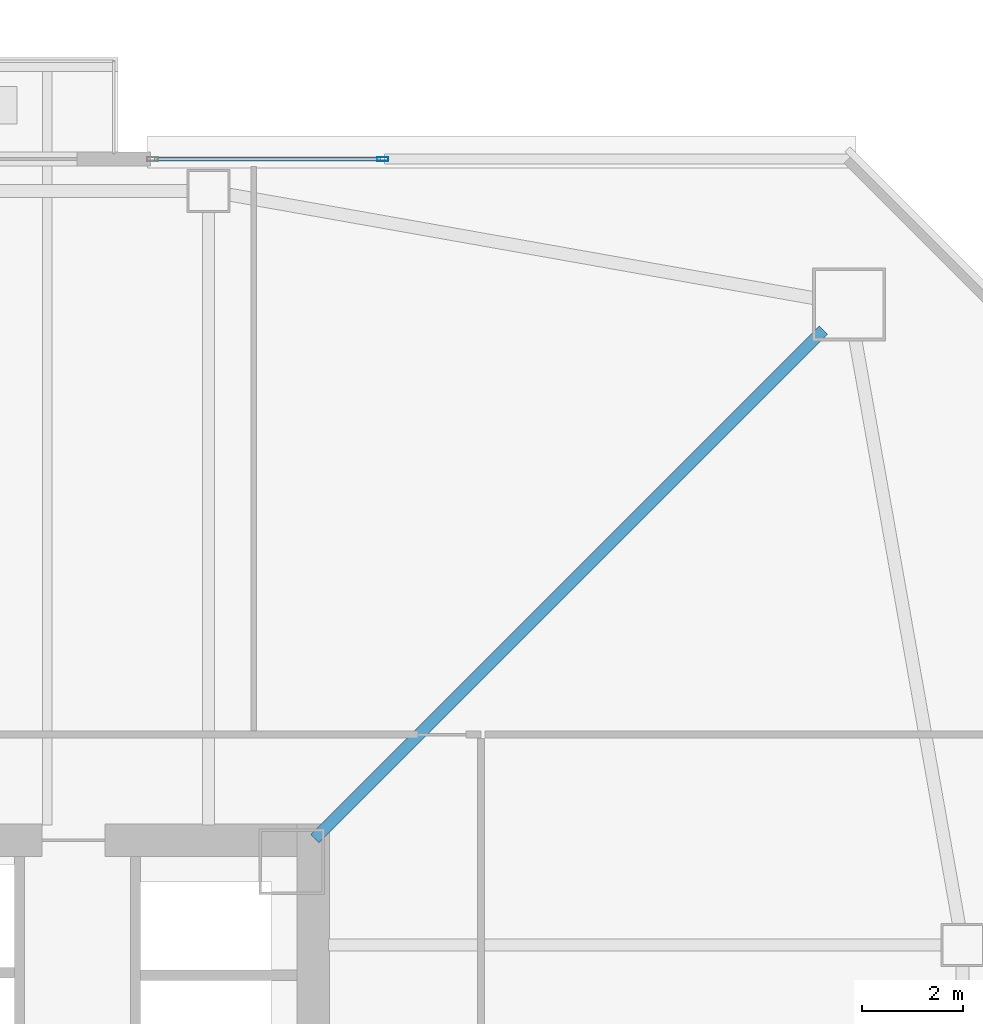
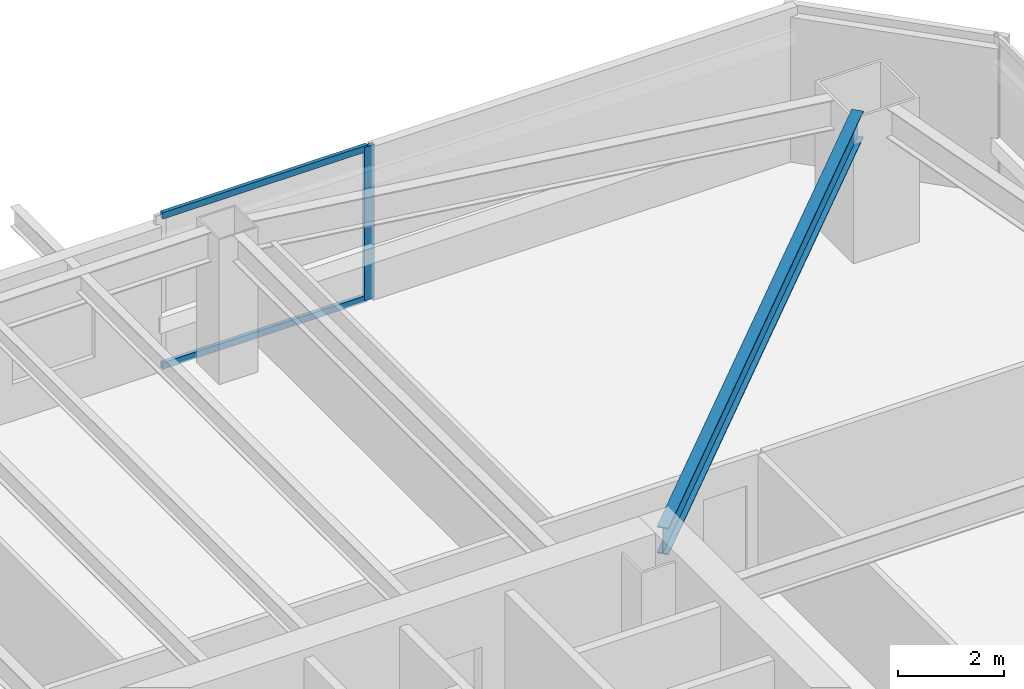
# One storey, part 16 of 48: 3 members, 1 beam, 1 element without a shape of its own.
"""IFC4 building model written with IfcOpenShell, lengths in metres."""

import ifcopenshell
import ifcopenshell.guid

model = None  # the IFC model being written
_history = None  # IfcOwnerHistory: only IFC2X3 demands one
_inside = {}  # id of a spatial element -> (the spatial element, [elements in it])
_under = {}  # id of a project, library or spatial element -> (it, [spatial elements below it])
_declared = {}  # id of a project -> (the project, [libraries it declares])
_typed = {}  # id of a type object -> (the type object, [elements of that type])
_made_of = {}  # id of a material, layer set ... -> (it, [elements and type objects made of it])


def new_model(schema):
    """Start an empty IFC model of exactly this schema.

    Asked for "IFC4X3", IfcOpenShell would pick the latest addendum, in which some entities
    have other attributes; the version numbers below select the first issue.
    IFC2X3 requires an IfcOwnerHistory on every rooted entity: one is made here for all.
    """
    global model, _history
    if schema == "IFC4X3":
        model = ifcopenshell.file(schema_version=(4, 3, 0, 0))
    else:
        model = ifcopenshell.file(schema=schema)
    _inside.clear()
    _under.clear()
    _declared.clear()
    _typed.clear()
    _made_of.clear()
    _history = None
    if model.schema == "IFC2X3":
        org = make("IfcOrganization", Name="unknown")
        user = make(
            "IfcPersonAndOrganization",
            ThePerson=make("IfcPerson", FamilyName="unknown"),
            TheOrganization=org,
        )
        app = make(
            "IfcApplication",
            ApplicationDeveloper=org,
            Version="unknown",
            ApplicationFullName="unknown",
            ApplicationIdentifier="unknown",
        )
        _history = make(
            "IfcOwnerHistory",
            OwningUser=user,
            OwningApplication=app,
            ChangeAction="ADDED",
            CreationDate=0,
        )
    return model


def make(cls, **values):
    """One entity of the class cls with the attributes given. An attribute that is None is left unset."""
    return model.create_entity(
        cls, **{name: value for name, value in values.items() if value is not None}
    )


def rooted(cls, **values):
    """An entity with a GlobalId (a new one), such as an element, a storey or a relation."""
    return make(cls, GlobalId=ifcopenshell.guid.new(), OwnerHistory=_history, **values)


def si_unit(unit_type, name, prefix=None):
    """IfcSIUnit, for example si_unit("LENGTHUNIT", "METRE", prefix="MILLI")."""
    return make("IfcSIUnit", UnitType=unit_type, Prefix=prefix, Name=name)


def assignment(units):
    """IfcUnitAssignment: the units of a project."""
    return None if units is None else make("IfcUnitAssignment", Units=units)


def point(xyz):
    """IfcCartesianPoint."""
    return None if xyz is None else make("IfcCartesianPoint", Coordinates=xyz)


def direction(xyz):
    """IfcDirection."""
    return None if xyz is None else make("IfcDirection", DirectionRatios=xyz)


def frame(location, z_axis=None, x_axis=None):
    """IfcAxis2Placement3D, a coordinate frame: its origin and axes. An axis left out is left unset."""
    return make(
        "IfcAxis2Placement3D",
        Location=point(location),
        Axis=direction(z_axis),
        RefDirection=direction(x_axis),
    )


def frame_2d(location, x_axis=None):
    """IfcAxis2Placement2D, a coordinate frame in the plane: its origin and x axis."""
    return make(
        "IfcAxis2Placement2D", Location=point(location), RefDirection=direction(x_axis)
    )


def origin():
    """The frame at (0, 0, 0) with its axes left unset."""
    return frame((0.0, 0.0, 0.0))


def origin_2d():
    """The frame at (0, 0) in the plane with its x axis left unset."""
    return frame_2d((0.0, 0.0))


def place(relative_to, where):
    """IfcLocalPlacement: puts the frame where relative to a parent placement (None: the world)."""
    return make(
        "IfcLocalPlacement", PlacementRelTo=relative_to, RelativePlacement=where
    )


def context(
    kind, dimensions, precision=None, world=None, true_north=None, identifier=None
):
    """IfcGeometricRepresentationContext, for example the 3D "Model" context."""
    return make(
        "IfcGeometricRepresentationContext",
        ContextIdentifier=identifier,
        ContextType=kind,
        CoordinateSpaceDimension=dimensions,
        Precision=precision,
        WorldCoordinateSystem=world,
        TrueNorth=true_north,
    )


def subcontext(parent, identifier, kind, view, scale=None):
    """IfcGeometricRepresentationSubContext, for example "Body" below "Model"."""
    return make(
        "IfcGeometricRepresentationSubContext",
        ContextIdentifier=identifier,
        ContextType=kind,
        ParentContext=parent,
        TargetScale=scale,
        TargetView=view,
    )


def project(units=None, contexts=None):
    """IfcProject with its units and contexts."""
    return rooted(
        "IfcProject",
        Name="project",
        RepresentationContexts=contexts,
        UnitsInContext=assignment(units),
    )


def spatial(cls, under=None, at=None, **own):
    """A site, building, storey or space (cls), placed at a placement, below another one or the project."""
    s = rooted(cls, ObjectPlacement=at, **own)
    if under is not None:
        _under.setdefault(under.id(), (under, []))[1].append(s)
    return s


def profile(cls, at=None, kind="AREA", **sizes):
    """A parametric profile (cls). Its sizes go by their IFC names, for example OverallWidth=200.0."""
    return make(cls, ProfileType=kind, Position=at, **sizes)


def hollow_rectangle(**sizes):
    """IfcRectangleHollowProfileDef."""
    return profile("IfcRectangleHollowProfileDef", **sizes)


def i_section(**sizes):
    """IfcIShapeProfileDef."""
    return profile("IfcIShapeProfileDef", **sizes)


def extrude(swept, where, along, depth):
    """IfcExtrudedAreaSolid: the profile swept, set in the frame where, extruded along a direction by depth."""
    return make(
        "IfcExtrudedAreaSolid",
        SweptArea=swept,
        Position=where,
        ExtrudedDirection=direction(along),
        Depth=depth,
    )


def shape(context_of_items, identifier, shape_type, items):
    """IfcShapeRepresentation: the items that make up one representation, for example the "Body"."""
    return make(
        "IfcShapeRepresentation",
        ContextOfItems=context_of_items,
        RepresentationIdentifier=identifier,
        RepresentationType=shape_type,
        Items=items,
    )


def material(Name=None, Category=None):
    """IfcMaterial."""
    return make("IfcMaterial", Name=Name, Category=Category)


def material_profile(
    of_material, cross_section, Name=None, Category=None, Priority=None
):
    """IfcMaterialProfile: a cross section and its material."""
    return make(
        "IfcMaterialProfile",
        Name=Name,
        Material=of_material,
        Profile=cross_section,
        Priority=Priority,
        Category=Category,
    )


def profile_set(profiles, Name=None, composite=None):
    """IfcMaterialProfileSet."""
    return make(
        "IfcMaterialProfileSet",
        Name=Name,
        MaterialProfiles=profiles,
        CompositeProfile=composite,
    )


def made_of(thing, what):
    """Note that an element or type object is made of a material, layer set ...; save() writes the relation."""
    if what is not None:
        _made_of.setdefault(what.id(), (what, []))[1].append(thing)
    return thing


def type_object(cls, material=None, **own):
    """A type object (cls), such as IfcWallType, which elements share."""
    return made_of(rooted(cls, **own), material)


def element(
    cls,
    number,
    at=None,
    inside=None,
    cuts=None,
    type_object=None,
    material=None,
    context=None,
    identifier="Body",
    shape_type=None,
    held_by="IfcProductDefinitionShape",
    body=None,
    shapes=None,
    **own,
):
    """One element of the class cls, such as IfcWall. Its Tag is "e" and its number.

    at: its placement. inside: the storey or other place that contains it. cuts: it is an
    opening in that element (IfcRelVoidsElement). A single representation is given by context,
    identifier, shape_type and body (its items); several are given by shapes. held_by: the class
    of the entity that holds the representations. save() writes the other relations.
    """
    e = rooted(cls, Tag="e%d" % number, ObjectPlacement=at, **own)
    if body is not None:
        shapes = [shape(context, identifier, shape_type, body)]
    if shapes is not None:
        e.Representation = make(held_by, Representations=shapes)
    if inside is not None:
        _inside.setdefault(inside.id(), (inside, []))[1].append(e)
    if cuts is not None:
        rooted(
            "IfcRelVoidsElement", RelatingBuildingElement=cuts, RelatedOpeningElement=e
        )
    if type_object is not None:
        _typed.setdefault(type_object.id(), (type_object, []))[1].append(e)
    return made_of(e, material)


def aggregate(whole, parts):
    """IfcRelAggregates: a whole, such as a stair, and the parts it consists of."""
    return rooted("IfcRelAggregates", RelatingObject=whole, RelatedObjects=parts)


def save(model, path):
    """Write the relations noted so far, then the file.

    IfcRelAggregates (storeys below a building ...), IfcRelContainedInSpatialStructure (elements
    in a storey), IfcRelDefinesByType, IfcRelAssociatesMaterial and IfcRelDeclares: one each for
    every whole, place, type object, material and project.
    """
    for whole, parts in _under.values():
        aggregate(whole, parts)
    for where, things in _inside.values():
        rooted(
            "IfcRelContainedInSpatialStructure",
            RelatedElements=things,
            RelatingStructure=where,
        )
    for kind, things in _typed.values():
        rooted("IfcRelDefinesByType", RelatedObjects=things, RelatingType=kind)
    for what, things in _made_of.values():
        rooted("IfcRelAssociatesMaterial", RelatedObjects=things, RelatingMaterial=what)
    for by, libraries in _declared.values():
        rooted("IfcRelDeclares", RelatingContext=by, RelatedDefinitions=libraries)
    model.write(path)


model = new_model("IFC4")

# Units and contexts
model_context = context("Model", 3, precision=1e-05, world=origin(), true_north=direction((0.0, 1.0)))
body_context = subcontext(model_context, "Body", "Model", "MODEL_VIEW")
ifc_project = project(units=[si_unit("LENGTHUNIT", "METRE"), si_unit("AREAUNIT", "SQUARE_METRE"), si_unit("VOLUMEUNIT", "CUBIC_METRE"), si_unit("PLANEANGLEUNIT", "RADIAN"), si_unit("MASSUNIT", "GRAM", prefix="KILO")], contexts=[model_context])

# Site, building, storey
site_placement = place(None, origin())
site = spatial("IfcSite", under=ifc_project, at=site_placement, CompositionType="ELEMENT")
building_placement = place(site_placement, origin())
building = spatial("IfcBuilding", under=site, at=building_placement, Name="Tashvorn Skyway Center", CompositionType="ELEMENT")
storey_placement = place(building_placement, frame((0.0, 0.0, 77.85009765625)))
storey = spatial("IfcBuildingStorey", under=building, at=storey_placement, Name="L20", CompositionType="ELEMENT", Elevation=77.85009765625)

# Beam
ifc_material_1 = material(Name="Steel ASTM A992 Grade 50", Category="steel")
ifc_material_profile_1 = material_profile(ifc_material_1, i_section(OverallWidth=0.22998046875, OverallDepth=0.616943359375, WebThickness=0.01318359375, FlangeThickness=0.022216796875, at=origin_2d()), Name="W24X94")
ifc_profile_set_1 = profile_set([ifc_material_profile_1], Name="Steel ASTM A992 Grade 50")
beam_type = type_object("IfcBeamType", Name="BM-BEAM-W24X94", PredefinedType="BEAM", material=ifc_profile_set_1)
beam_placement = place(storey_placement, frame((59.5908203125, 49.5908203125, 3.04150390625), z_axis=(-0.707106781187, -0.707106781187, 0.0), x_axis=(0.707106781187, -0.707106781187, 0.0)))
element("IfcBeam", 1, at=beam_placement, inside=storey, type_object=beam_type, Name="Tower 1 L20 Primary Floor Girder MC-NE", PredefinedType="BEAM", context=body_context, shape_type="SweptSolid", body=[
    extrude(i_section(OverallWidth=0.22998046875, OverallDepth=0.616943359375, WebThickness=0.01318359375, FlangeThickness=0.022216796875, at=origin_2d()), origin(), (0.0, 0.0, 1.0), 14.261962890625),
])

# Curtain wall, members
ifc_material_2 = material(Name="Thermally broken bronze-anodized aluminium 6063-T6", Category="aluminium")
curtain_wall_type = type_object("IfcCurtainWallType", Name="CW-CW-Z2", PredefinedType="NOTDEFINED", material=ifc_material_2)
curtain_wall_placement = place(storey_placement, origin())
curtain_wall = element("IfcCurtainWall", 2, at=curtain_wall_placement, inside=storey, type_object=curtain_wall_type, Name="Tower 1 L20 North Curtain Wall R Glazing Group 1", PredefinedType="NOTDEFINED")
ifc_material_profile_2 = material_profile(ifc_material_2, hollow_rectangle(XDim=0.080078125, YDim=0.219970703125, WallThickness=0.0048828125, at=origin_2d()), Name="ALU-MULL-80x220")
ifc_profile_set_2 = profile_set([ifc_material_profile_2], Name="Thermally broken bronze-anodized aluminium 6063-T6")
member_type_1 = type_object("IfcMemberType", Name="CWM-CW-Z2", PredefinedType="MULLION", material=ifc_profile_set_2)
member_1_placement = place(storey_placement, frame((50.853271484375, 52.97998046875, 0.0), z_axis=(0.0, 0.0, 1.0), x_axis=(0.0, 1.0, 0.0)))
member_1 = element("IfcMember", 3, at=member_1_placement, type_object=member_type_1, Name="CW-Z2 mullion 2", PredefinedType="MULLION", context=body_context, shape_type="SweptSolid", body=[
    extrude(hollow_rectangle(XDim=0.080078125, YDim=0.219970703125, WallThickness=0.0048828125, at=origin_2d()), origin(), (0.0, 0.0, 1.0), 3.5498046875),
])
ifc_material_profile_3 = material_profile(ifc_material_2, hollow_rectangle(XDim=0.080078125, YDim=0.14990234375, WallThickness=0.00439453125, at=origin_2d()), Name="ALU-TRAN-80x150")
ifc_profile_set_3 = profile_set([ifc_material_profile_3], Name="Thermally broken bronze-anodized aluminium 6063-T6")
member_type_2 = type_object("IfcMemberType", Name="CWT-CW-Z2", PredefinedType="USERDEFINED", material=ifc_profile_set_3)
member_2_placement = place(storey_placement, frame((46.330078125, 52.97998046875, 0.039794921875), z_axis=(1.0, 0.0, 0.0), x_axis=(0.0, 1.0, 0.0)))
member_2 = element("IfcMember", 4, at=member_2_placement, type_object=member_type_2, Name="CW-Z2 transom 1.1", ObjectType="TRANSOM", PredefinedType="USERDEFINED", context=body_context, shape_type="SweptSolid", body=[
    extrude(hollow_rectangle(XDim=0.080078125, YDim=0.14990234375, WallThickness=0.00439453125, at=origin_2d()), origin(), (0.0, 0.0, 1.0), 4.483154296875),
])
member_3_placement = place(storey_placement, frame((46.330078125, 52.97998046875, 3.510009765625), z_axis=(1.0, 0.0, 0.0), x_axis=(0.0, 1.0, 0.0)))
member_3 = element("IfcMember", 5, at=member_3_placement, type_object=member_type_2, Name="CW-Z2 transom 1.2", ObjectType="TRANSOM", PredefinedType="USERDEFINED", context=body_context, shape_type="SweptSolid", body=[
    extrude(hollow_rectangle(XDim=0.080078125, YDim=0.14990234375, WallThickness=0.00439453125, at=origin_2d()), origin(), (0.0, 0.0, 1.0), 4.483154296875),
])
aggregate(curtain_wall, [member_1, member_2, member_3])

save(model, "model.ifc")
